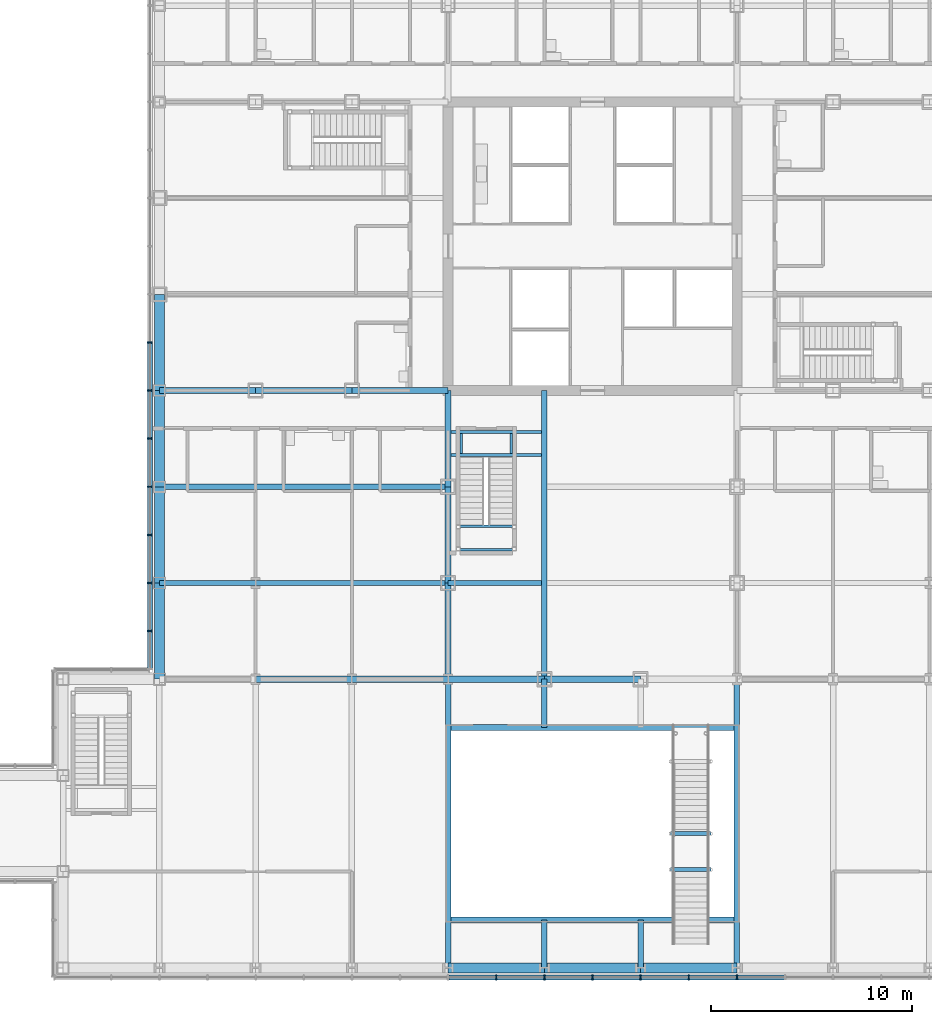
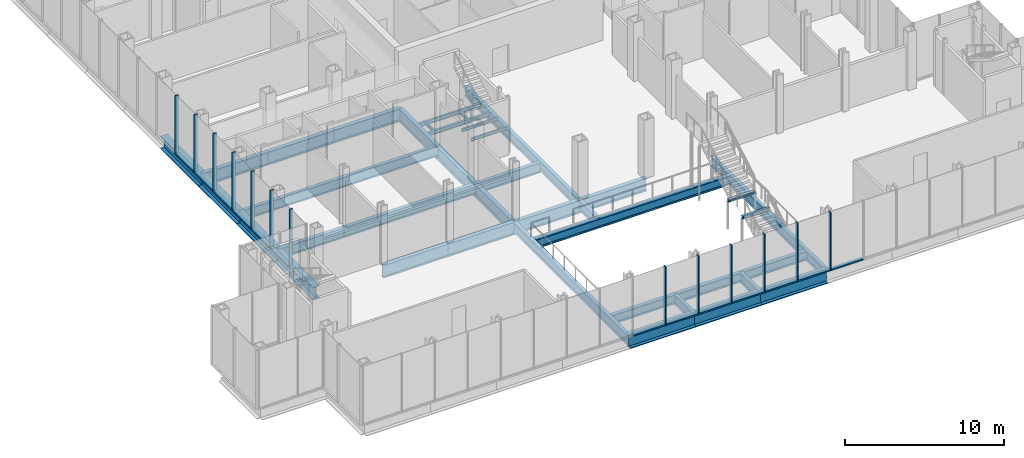
# One storey, part 12 of 28: 37 beams, 27 members, 2 elements without a shape of their own.
"""IFC4 building model written with IfcOpenShell, lengths in metres."""

from ifc_helpers import new_model, si_unit, direction, frame, origin, origin_2d, place, context, subcontext, project, spatial, rectangle, i_section, extrude, material, material_profile, profile_set, type_object, element, aggregate, save


model = new_model("IFC4")

# Units and contexts
model_context = context("Model", 3, precision=1e-05, world=origin(), true_north=direction((0.0, 1.0)))
body_context = subcontext(model_context, "Body", "Model", "MODEL_VIEW")
ifc_project = project(units=[si_unit("LENGTHUNIT", "METRE"), si_unit("AREAUNIT", "SQUARE_METRE"), si_unit("VOLUMEUNIT", "CUBIC_METRE"), si_unit("PLANEANGLEUNIT", "RADIAN"), si_unit("MASSUNIT", "GRAM", prefix="KILO")], contexts=[model_context])

# Site, building, storey
site_placement = place(None, origin())
site = spatial("IfcSite", under=ifc_project, at=site_placement, CompositionType="ELEMENT")
building_placement = place(site_placement, origin())
building = spatial("IfcBuilding", under=site, at=building_placement, Name="Kvirike Care Tower", CompositionType="ELEMENT")
storey_placement = place(building_placement, frame((0.0, 0.0, 4.5)))
storey = spatial("IfcBuildingStorey", under=building, at=storey_placement, Name="L01", CompositionType="ELEMENT", Elevation=4.5)

# Beams
ifc_material_1 = material(Name="Steel S355", Category="steel")
ifc_material_profile_1 = material_profile(ifc_material_1, i_section(OverallWidth=0.300048828125, OverallDepth=0.699951171875, WebThickness=0.01708984375, FlangeThickness=0.031982421875, FilletRadius=0.027099609375, at=origin_2d()), Name="HE 700 B")
ifc_profile_set_1 = profile_set([ifc_material_profile_1], Name="Steel S355")
beam_type_1 = type_object("IfcBeamType", Name="ATRIUM EDGE BEAM HE 700 B", PredefinedType="BEAM", material=ifc_profile_set_1)
for number, where, z_axis, x_axis, name in (
    (1, (14.39990234375, 2.39990234375, -0.52001953125), (1.0, 0.0, 0.0), (0.0, 1.0, 0.0), "Atrium Edge Beam 14.40/2.40-28.80/2.40 L01"),
    (2, (14.39990234375, 12.0, -0.52001953125), (1.0, 0.0, 0.0), (0.0, 1.0, 0.0), "Atrium Edge Beam 14.40/12.00-28.80/12.00 L01"),
):
    element("IfcBeam", number, at=place(storey_placement, frame(where, z_axis=z_axis, x_axis=x_axis)), inside=storey, type_object=beam_type_1, Name=name, PredefinedType="BEAM", context=body_context, shape_type="SweptSolid", body=[
        extrude(i_section(OverallWidth=0.300048828125, OverallDepth=0.699951171875, WebThickness=0.01708984375, FlangeThickness=0.031982421875, FilletRadius=0.027099609375, at=origin_2d()), origin(), (0.0, 0.0, 1.0), 14.400146484375),
    ])

# Curtain wall, members
ifc_material_2 = material(Name="Anodised aluminium stick system", Category="aluminium")
curtain_wall_type = type_object("IfcCurtainWallType", Name="CW-P PODIUM STICK CURTAIN WALL", PredefinedType="NOTDEFINED", material=ifc_material_2)
curtain_wall_1_placement = place(storey_placement, origin())
curtain_wall_1 = element("IfcCurtainWall", 3, at=curtain_wall_1_placement, inside=storey, type_object=curtain_wall_type, Name="Curtain wall L01 face 1", PredefinedType="NOTDEFINED")
ifc_material_3 = material(Name="Bronze anodised aluminium mullion", Category="aluminium")
ifc_material_profile_2 = material_profile(ifc_material_3, rectangle(XDim=0.06494140625, YDim=0.25, at=origin_2d()), Name="CW-P MULLION 65x250")
ifc_profile_set_2 = profile_set([ifc_material_profile_2], Name="Bronze anodised aluminium mullion")
member_type_1 = type_object("IfcMemberType", Name="CW-P MULLION 65x250", PredefinedType="MULLION", material=ifc_profile_set_2)
member_1_placement = place(storey_placement, frame((16.800048828125, -0.47509765625, 0.0), z_axis=(0.0, 0.0, 1.0), x_axis=(1.0, 0.0, 0.0)))
member_1 = element("IfcMember", 4, at=member_1_placement, type_object=member_type_1, Name="CW-P mullion L01 face 1.10", PredefinedType="MULLION", context=body_context, shape_type="SweptSolid", body=[
    extrude(rectangle(XDim=0.06494140625, YDim=0.25, at=origin_2d()), origin(), (0.0, 0.0, 1.0), 4.5),
])
member_2_placement = place(storey_placement, frame((19.199951171875, -0.47509765625, 0.0), z_axis=(0.0, 0.0, 1.0), x_axis=(1.0, 0.0, 0.0)))
member_2 = element("IfcMember", 5, at=member_2_placement, type_object=member_type_1, Name="CW-P mullion L01 face 1.11", PredefinedType="MULLION", context=body_context, shape_type="SweptSolid", body=[
    extrude(rectangle(XDim=0.06494140625, YDim=0.25, at=origin_2d()), origin(), (0.0, 0.0, 1.0), 4.5),
])
member_3_placement = place(storey_placement, frame((21.60009765625, -0.47509765625, 0.0), z_axis=(0.0, 0.0, 1.0), x_axis=(1.0, 0.0, 0.0)))
member_3 = element("IfcMember", 6, at=member_3_placement, type_object=member_type_1, Name="CW-P mullion L01 face 1.12", PredefinedType="MULLION", context=body_context, shape_type="SweptSolid", body=[
    extrude(rectangle(XDim=0.06494140625, YDim=0.25, at=origin_2d()), origin(), (0.0, 0.0, 1.0), 4.5),
])
member_4_placement = place(storey_placement, frame((24.0, -0.47509765625, 0.0), z_axis=(0.0, 0.0, 1.0), x_axis=(1.0, 0.0, 0.0)))
member_4 = element("IfcMember", 7, at=member_4_placement, type_object=member_type_1, Name="CW-P mullion L01 face 1.13", PredefinedType="MULLION", context=body_context, shape_type="SweptSolid", body=[
    extrude(rectangle(XDim=0.06494140625, YDim=0.25, at=origin_2d()), origin(), (0.0, 0.0, 1.0), 4.5),
])
member_5_placement = place(storey_placement, frame((26.39990234375, -0.47509765625, 0.0), z_axis=(0.0, 0.0, 1.0), x_axis=(1.0, 0.0, 0.0)))
member_5 = element("IfcMember", 8, at=member_5_placement, type_object=member_type_1, Name="CW-P mullion L01 face 1.14", PredefinedType="MULLION", context=body_context, shape_type="SweptSolid", body=[
    extrude(rectangle(XDim=0.06494140625, YDim=0.25, at=origin_2d()), origin(), (0.0, 0.0, 1.0), 4.5),
])
member_6_placement = place(storey_placement, frame((28.800048828125, -0.47509765625, 0.0), z_axis=(0.0, 0.0, 1.0), x_axis=(1.0, 0.0, 0.0)))
member_6 = element("IfcMember", 9, at=member_6_placement, type_object=member_type_1, Name="CW-P mullion L01 face 1.15", PredefinedType="MULLION", context=body_context, shape_type="SweptSolid", body=[
    extrude(rectangle(XDim=0.06494140625, YDim=0.25, at=origin_2d()), origin(), (0.0, 0.0, 1.0), 4.5),
])

curtain_wall_2_placement = place(storey_placement, origin())
curtain_wall_2 = element("IfcCurtainWall", 10, at=curtain_wall_2_placement, inside=storey, type_object=curtain_wall_type, Name="Curtain wall L01 face 14", PredefinedType="NOTDEFINED")
member_7_placement = place(storey_placement, frame((-0.47509765625, 31.199951171875, 0.0), z_axis=(0.0, 0.0, 1.0), x_axis=(0.0, -1.0, 0.0)))
member_7 = element("IfcMember", 11, at=member_7_placement, type_object=member_type_1, Name="CW-P mullion L01 face 14.10", PredefinedType="MULLION", context=body_context, shape_type="SweptSolid", body=[
    extrude(rectangle(XDim=0.06494140625, YDim=0.25, at=origin_2d()), origin(), (0.0, 0.0, 1.0), 4.5),
])
member_8_placement = place(storey_placement, frame((-0.47509765625, 28.800048828125, 0.0), z_axis=(0.0, 0.0, 1.0), x_axis=(0.0, -1.0, 0.0)))
member_8 = element("IfcMember", 12, at=member_8_placement, type_object=member_type_1, Name="CW-P mullion L01 face 14.11", PredefinedType="MULLION", context=body_context, shape_type="SweptSolid", body=[
    extrude(rectangle(XDim=0.06494140625, YDim=0.25, at=origin_2d()), origin(), (0.0, 0.0, 1.0), 4.5),
])
member_9_placement = place(storey_placement, frame((-0.47509765625, 26.39990234375, 0.0), z_axis=(0.0, 0.0, 1.0), x_axis=(0.0, -1.0, 0.0)))
member_9 = element("IfcMember", 13, at=member_9_placement, type_object=member_type_1, Name="CW-P mullion L01 face 14.12", PredefinedType="MULLION", context=body_context, shape_type="SweptSolid", body=[
    extrude(rectangle(XDim=0.06494140625, YDim=0.25, at=origin_2d()), origin(), (0.0, 0.0, 1.0), 4.5),
])
member_10_placement = place(storey_placement, frame((-0.47509765625, 24.0, 0.0), z_axis=(0.0, 0.0, 1.0), x_axis=(0.0, -1.0, 0.0)))
member_10 = element("IfcMember", 14, at=member_10_placement, type_object=member_type_1, Name="CW-P mullion L01 face 14.13", PredefinedType="MULLION", context=body_context, shape_type="SweptSolid", body=[
    extrude(rectangle(XDim=0.06494140625, YDim=0.25, at=origin_2d()), origin(), (0.0, 0.0, 1.0), 4.5),
])
member_11_placement = place(storey_placement, frame((-0.47509765625, 21.60009765625, 0.0), z_axis=(0.0, 0.0, 1.0), x_axis=(0.0, -1.0, 0.0)))
member_11 = element("IfcMember", 15, at=member_11_placement, type_object=member_type_1, Name="CW-P mullion L01 face 14.14", PredefinedType="MULLION", context=body_context, shape_type="SweptSolid", body=[
    extrude(rectangle(XDim=0.06494140625, YDim=0.25, at=origin_2d()), origin(), (0.0, 0.0, 1.0), 4.5),
])
member_12_placement = place(storey_placement, frame((-0.47509765625, 19.199951171875, 0.0), z_axis=(0.0, 0.0, 1.0), x_axis=(0.0, -1.0, 0.0)))
member_12 = element("IfcMember", 16, at=member_12_placement, type_object=member_type_1, Name="CW-P mullion L01 face 14.15", PredefinedType="MULLION", context=body_context, shape_type="SweptSolid", body=[
    extrude(rectangle(XDim=0.06494140625, YDim=0.25, at=origin_2d()), origin(), (0.0, 0.0, 1.0), 4.5),
])
member_13_placement = place(storey_placement, frame((-0.47509765625, 16.800048828125, 0.0), z_axis=(0.0, 0.0, 1.0), x_axis=(0.0, -1.0, 0.0)))
member_13 = element("IfcMember", 17, at=member_13_placement, type_object=member_type_1, Name="CW-P mullion L01 face 14.16", PredefinedType="MULLION", context=body_context, shape_type="SweptSolid", body=[
    extrude(rectangle(XDim=0.06494140625, YDim=0.25, at=origin_2d()), origin(), (0.0, 0.0, 1.0), 4.5),
])

# Member
ifc_material_4 = material(Name="Bronze anodised aluminium transom", Category="aluminium")
ifc_material_profile_3 = material_profile(ifc_material_4, rectangle(XDim=0.25, YDim=0.10009765625, at=origin_2d()), Name="CW-P TRANSOM 250x100")
ifc_profile_set_3 = profile_set([ifc_material_profile_3], Name="Bronze anodised aluminium transom")
member_type_2 = type_object("IfcMemberType", Name="CW-P TRANSOM 250x100", PredefinedType="USERDEFINED", material=ifc_profile_set_3)
member_14_placement = place(storey_placement, frame((14.4326171875, -0.47509765625, 0.050048828125), z_axis=(1.0, 0.0, 0.0), x_axis=(0.0, 1.0, 0.0)))
member_14 = element("IfcMember", 18, at=member_14_placement, type_object=member_type_2, Name="CW-P sill transom L01 face 1.9", ObjectType="TRANSOM", PredefinedType="USERDEFINED", context=body_context, shape_type="SweptSolid", body=[
    extrude(rectangle(XDim=0.25, YDim=0.10009765625, at=origin_2d()), origin(), (0.0, 0.0, 1.0), 2.3349609375),
])

member_15_placement = place(storey_placement, frame((16.83251953125, -0.47509765625, 0.050048828125), z_axis=(1.0, 0.0, 0.0), x_axis=(0.0, 1.0, 0.0)))
member_15 = element("IfcMember", 19, at=member_15_placement, type_object=member_type_2, Name="CW-P sill transom L01 face 1.10", ObjectType="TRANSOM", PredefinedType="USERDEFINED", context=body_context, shape_type="SweptSolid", body=[
    extrude(rectangle(XDim=0.25, YDim=0.10009765625, at=origin_2d()), origin(), (0.0, 0.0, 1.0), 2.3349609375),
])

member_16_placement = place(storey_placement, frame((19.232421875, -0.47509765625, 0.050048828125), z_axis=(1.0, 0.0, 0.0), x_axis=(0.0, 1.0, 0.0)))
member_16 = element("IfcMember", 20, at=member_16_placement, type_object=member_type_2, Name="CW-P sill transom L01 face 1.11", ObjectType="TRANSOM", PredefinedType="USERDEFINED", context=body_context, shape_type="SweptSolid", body=[
    extrude(rectangle(XDim=0.25, YDim=0.10009765625, at=origin_2d()), origin(), (0.0, 0.0, 1.0), 2.3349609375),
])

member_17_placement = place(storey_placement, frame((21.632568359375, -0.47509765625, 0.050048828125), z_axis=(1.0, 0.0, 0.0), x_axis=(0.0, 1.0, 0.0)))
member_17 = element("IfcMember", 21, at=member_17_placement, type_object=member_type_2, Name="CW-P sill transom L01 face 1.12", ObjectType="TRANSOM", PredefinedType="USERDEFINED", context=body_context, shape_type="SweptSolid", body=[
    extrude(rectangle(XDim=0.25, YDim=0.10009765625, at=origin_2d()), origin(), (0.0, 0.0, 1.0), 2.3349609375),
])

member_18_placement = place(storey_placement, frame((24.032470703125, -0.47509765625, 0.050048828125), z_axis=(1.0, 0.0, 0.0), x_axis=(0.0, 1.0, 0.0)))
member_18 = element("IfcMember", 22, at=member_18_placement, type_object=member_type_2, Name="CW-P sill transom L01 face 1.13", ObjectType="TRANSOM", PredefinedType="USERDEFINED", context=body_context, shape_type="SweptSolid", body=[
    extrude(rectangle(XDim=0.25, YDim=0.10009765625, at=origin_2d()), origin(), (0.0, 0.0, 1.0), 2.3349609375),
])

member_19_placement = place(storey_placement, frame((26.4326171875, -0.47509765625, 0.050048828125), z_axis=(1.0, 0.0, 0.0), x_axis=(0.0, 1.0, 0.0)))
member_19 = element("IfcMember", 23, at=member_19_placement, type_object=member_type_2, Name="CW-P sill transom L01 face 1.14", ObjectType="TRANSOM", PredefinedType="USERDEFINED", context=body_context, shape_type="SweptSolid", body=[
    extrude(rectangle(XDim=0.25, YDim=0.10009765625, at=origin_2d()), origin(), (0.0, 0.0, 1.0), 2.3349609375),
])

member_20_placement = place(storey_placement, frame((28.83251953125, -0.47509765625, 0.050048828125), z_axis=(1.0, 0.0, 0.0), x_axis=(0.0, 1.0, 0.0)))
member_20 = element("IfcMember", 24, at=member_20_placement, type_object=member_type_2, Name="CW-P sill transom L01 face 1.15", ObjectType="TRANSOM", PredefinedType="USERDEFINED", context=body_context, shape_type="SweptSolid", body=[
    extrude(rectangle(XDim=0.25, YDim=0.10009765625, at=origin_2d()), origin(), (0.0, 0.0, 1.0), 2.3349609375),
])

aggregate(curtain_wall_1, [member_1, member_2, member_3, member_4, member_5, member_6, member_14, member_15, member_16, member_17, member_18, member_19, member_20])

member_21_placement = place(storey_placement, frame((-0.47509765625, 31.16748046875, 0.050048828125), z_axis=(0.0, -1.0, 0.0), x_axis=(1.0, 0.0, 0.0)))
member_21 = element("IfcMember", 25, at=member_21_placement, type_object=member_type_2, Name="CW-P sill transom L01 face 14.10", ObjectType="TRANSOM", PredefinedType="USERDEFINED", context=body_context, shape_type="SweptSolid", body=[
    extrude(rectangle(XDim=0.25, YDim=0.10009765625, at=origin_2d()), origin(), (0.0, 0.0, 1.0), 2.3349609375),
])

member_22_placement = place(storey_placement, frame((-0.47509765625, 28.767578125, 0.050048828125), z_axis=(0.0, -1.0, 0.0), x_axis=(1.0, 0.0, 0.0)))
member_22 = element("IfcMember", 26, at=member_22_placement, type_object=member_type_2, Name="CW-P sill transom L01 face 14.11", ObjectType="TRANSOM", PredefinedType="USERDEFINED", context=body_context, shape_type="SweptSolid", body=[
    extrude(rectangle(XDim=0.25, YDim=0.10009765625, at=origin_2d()), origin(), (0.0, 0.0, 1.0), 2.3349609375),
])

member_23_placement = place(storey_placement, frame((-0.47509765625, 26.367431640625, 0.050048828125), z_axis=(0.0, -1.0, 0.0), x_axis=(1.0, 0.0, 0.0)))
member_23 = element("IfcMember", 27, at=member_23_placement, type_object=member_type_2, Name="CW-P sill transom L01 face 14.12", ObjectType="TRANSOM", PredefinedType="USERDEFINED", context=body_context, shape_type="SweptSolid", body=[
    extrude(rectangle(XDim=0.25, YDim=0.10009765625, at=origin_2d()), origin(), (0.0, 0.0, 1.0), 2.3349609375),
])

member_24_placement = place(storey_placement, frame((-0.47509765625, 23.967529296875, 0.050048828125), z_axis=(0.0, -1.0, 0.0), x_axis=(1.0, 0.0, 0.0)))
member_24 = element("IfcMember", 28, at=member_24_placement, type_object=member_type_2, Name="CW-P sill transom L01 face 14.13", ObjectType="TRANSOM", PredefinedType="USERDEFINED", context=body_context, shape_type="SweptSolid", body=[
    extrude(rectangle(XDim=0.25, YDim=0.10009765625, at=origin_2d()), origin(), (0.0, 0.0, 1.0), 2.3349609375),
])

member_25_placement = place(storey_placement, frame((-0.47509765625, 21.5673828125, 0.050048828125), z_axis=(0.0, -1.0, 0.0), x_axis=(1.0, 0.0, 0.0)))
member_25 = element("IfcMember", 29, at=member_25_placement, type_object=member_type_2, Name="CW-P sill transom L01 face 14.14", ObjectType="TRANSOM", PredefinedType="USERDEFINED", context=body_context, shape_type="SweptSolid", body=[
    extrude(rectangle(XDim=0.25, YDim=0.10009765625, at=origin_2d()), origin(), (0.0, 0.0, 1.0), 2.3349609375),
])

member_26_placement = place(storey_placement, frame((-0.47509765625, 19.16748046875, 0.050048828125), z_axis=(0.0, -1.0, 0.0), x_axis=(1.0, 0.0, 0.0)))
member_26 = element("IfcMember", 30, at=member_26_placement, type_object=member_type_2, Name="CW-P sill transom L01 face 14.15", ObjectType="TRANSOM", PredefinedType="USERDEFINED", context=body_context, shape_type="SweptSolid", body=[
    extrude(rectangle(XDim=0.25, YDim=0.10009765625, at=origin_2d()), origin(), (0.0, 0.0, 1.0), 2.3349609375),
])

member_27_placement = place(storey_placement, frame((-0.47509765625, 16.767578125, 0.050048828125), z_axis=(0.0, -1.0, 0.0), x_axis=(1.0, 0.0, 0.0)))
member_27 = element("IfcMember", 31, at=member_27_placement, type_object=member_type_2, Name="CW-P sill transom L01 face 14.16", ObjectType="TRANSOM", PredefinedType="USERDEFINED", context=body_context, shape_type="SweptSolid", body=[
    extrude(rectangle(XDim=0.25, YDim=0.10009765625, at=origin_2d()), origin(), (0.0, 0.0, 1.0), 1.82763671875),
])

aggregate(curtain_wall_2, [member_7, member_8, member_9, member_10, member_11, member_12, member_13, member_21, member_22, member_23, member_24, member_25, member_26, member_27])

# Beams
ifc_material_5 = material(Name="Steel S355", Category="steel")
ifc_material_profile_4 = material_profile(ifc_material_5, i_section(OverallWidth=0.199951171875, OverallDepth=0.199951171875, WebThickness=0.009033203125, FlangeThickness=0.014892578125, FilletRadius=0.01806640625, at=origin_2d()), Name="HE 200 B")
ifc_profile_set_4 = profile_set([ifc_material_profile_4], Name="Steel S355")
beam_type_2 = type_object("IfcBeamType", Name="FEATURE STAIR TRIMMER HE 200 B", PredefinedType="BEAM", material=ifc_profile_set_4)
for number, where, z_axis, x_axis, name in (
    (32, (25.5, 4.89990234375, 1.949951171875), (1.0, 0.0, 0.0), (0.0, 1.0, 0.0), "Feature stair FB landing trimmer S"),
    (33, (25.5, 6.699951171875, 2.14990234375), (1.0, 0.0, 0.0), (0.0, 1.0, 0.0), "Feature stair FB landing trimmer N"),
):
    element("IfcBeam", number, at=place(storey_placement, frame(where, z_axis=z_axis, x_axis=x_axis)), inside=storey, type_object=beam_type_2, Name=name, PredefinedType="BEAM", context=body_context, shape_type="SweptSolid", body=[
        extrude(i_section(OverallWidth=0.199951171875, OverallDepth=0.199951171875, WebThickness=0.009033203125, FlangeThickness=0.014892578125, FilletRadius=0.01806640625, at=origin_2d()), origin(), (0.0, 0.0, 1.0), 2.0),
    ])
ifc_material_6 = material(Name="Steel S355", Category="steel")
ifc_material_profile_5 = material_profile(ifc_material_6, i_section(OverallWidth=0.26806640625, OverallDepth=0.77001953125, WebThickness=0.015625, FlangeThickness=0.025390625, FilletRadius=0.01708984375, at=origin_2d()), Name="IPE 750x196")
ifc_profile_set_5 = profile_set([ifc_material_profile_5], Name="Steel S355")
beam_type_3 = type_object("IfcBeamType", Name="FLOOR BEAM IPE 750x196", PredefinedType="BEAM", material=ifc_profile_set_5)
beam_1_placement = place(storey_placement, frame((0.0, 19.199951171875, -0.554931640625), z_axis=(1.0, 0.0, 0.0), x_axis=(0.0, 1.0, 0.0)))
element("IfcBeam", 34, at=beam_1_placement, inside=storey, type_object=beam_type_3, Name="Floor Beam E3-E4 L01", PredefinedType="BEAM", context=body_context, shape_type="SweptSolid", body=[
    extrude(i_section(OverallWidth=0.26806640625, OverallDepth=0.77001953125, WebThickness=0.015625, FlangeThickness=0.025390625, FilletRadius=0.01708984375, at=origin_2d()), origin(), (0.0, 0.0, 1.0), 4.800048828125),
])
beam_2_placement = place(storey_placement, frame((4.800048828125, 19.199951171875, -0.554931640625), z_axis=(1.0, 0.0, 0.0), x_axis=(0.0, 1.0, 0.0)))
element("IfcBeam", 35, at=beam_2_placement, inside=storey, type_object=beam_type_3, Name="Floor Beam E4-E6 L01", PredefinedType="BEAM", context=body_context, shape_type="SweptSolid", body=[
    extrude(i_section(OverallWidth=0.26806640625, OverallDepth=0.77001953125, WebThickness=0.015625, FlangeThickness=0.025390625, FilletRadius=0.01708984375, at=origin_2d()), origin(), (0.0, 0.0, 1.0), 9.599853515625),
])
beam_3_placement = place(storey_placement, frame((14.39990234375, 19.199951171875, -0.554931640625), z_axis=(1.0, 0.0, 0.0), x_axis=(0.0, 1.0, 0.0)))
element("IfcBeam", 36, at=beam_3_placement, inside=storey, type_object=beam_type_3, Name="Floor Beam E6-E7 L01", PredefinedType="BEAM", context=body_context, shape_type="SweptSolid", body=[
    extrude(i_section(OverallWidth=0.26806640625, OverallDepth=0.77001953125, WebThickness=0.015625, FlangeThickness=0.025390625, FilletRadius=0.01708984375, at=origin_2d()), origin(), (0.0, 0.0, 1.0), 4.666015625),
])
for number, where, z_axis, x_axis, name in (
    (37, (0.0, 24.0, -0.554931640625), (1.0, 0.0, 0.0), (0.0, 1.0, 0.0), "Floor Beam F3-F6 L01"),
    (38, (14.39990234375, 0.0, -0.554931640625), (0.0, 1.0, 0.0), (-1.0, 0.0, 0.0), "Floor Beam A6-D6 L01"),
):
    element("IfcBeam", number, at=place(storey_placement, frame(where, z_axis=z_axis, x_axis=x_axis)), inside=storey, type_object=beam_type_3, Name=name, PredefinedType="BEAM", context=body_context, shape_type="SweptSolid", body=[
        extrude(i_section(OverallWidth=0.26806640625, OverallDepth=0.77001953125, WebThickness=0.015625, FlangeThickness=0.025390625, FilletRadius=0.01708984375, at=origin_2d()), origin(), (0.0, 0.0, 1.0), 14.39990234375),
    ])
for number, where, z_axis, x_axis, name in (
    (39, (19.199951171875, 0.0, -0.554931640625), (0.0, 1.0, 0.0), (-1.0, 0.0, 0.0), "Floor Beam A7-19.20/2.40 L01"),
    (40, (19.199951171875, 12.0, -0.554931640625), (0.0, 1.0, 0.0), (-1.0, 0.0, 0.0), "Floor Beam 19.20/12.00-D7 L01"),
):
    element("IfcBeam", number, at=place(storey_placement, frame(where, z_axis=z_axis, x_axis=x_axis)), inside=storey, type_object=beam_type_3, Name=name, PredefinedType="BEAM", context=body_context, shape_type="SweptSolid", body=[
        extrude(i_section(OverallWidth=0.26806640625, OverallDepth=0.77001953125, WebThickness=0.015625, FlangeThickness=0.025390625, FilletRadius=0.01708984375, at=origin_2d()), origin(), (0.0, 0.0, 1.0), 2.39990234375),
    ])
beam_4_placement = place(storey_placement, frame((19.199951171875, 14.39990234375, -0.554931640625), z_axis=(0.0, 1.0, 0.0), x_axis=(-1.0, 0.0, 0.0)))
element("IfcBeam", 41, at=beam_4_placement, inside=storey, type_object=beam_type_3, Name="Floor Beam D7-G7 L01", PredefinedType="BEAM", context=body_context, shape_type="SweptSolid", body=[
    extrude(i_section(OverallWidth=0.26806640625, OverallDepth=0.77001953125, WebThickness=0.015625, FlangeThickness=0.025390625, FilletRadius=0.01708984375, at=origin_2d()), origin(), (0.0, 0.0, 1.0), 14.400146484375),
])
beam_5_placement = place(storey_placement, frame((24.0, 0.0, -0.554931640625), z_axis=(0.0, 1.0, 0.0), x_axis=(-1.0, 0.0, 0.0)))
element("IfcBeam", 42, at=beam_5_placement, inside=storey, type_object=beam_type_3, Name="Floor Beam A8-24.00/2.40 L01", PredefinedType="BEAM", context=body_context, shape_type="SweptSolid", body=[
    extrude(i_section(OverallWidth=0.26806640625, OverallDepth=0.77001953125, WebThickness=0.015625, FlangeThickness=0.025390625, FilletRadius=0.01708984375, at=origin_2d()), origin(), (0.0, 0.0, 1.0), 2.39990234375),
])
beam_6_placement = place(storey_placement, frame((28.800048828125, 0.0, -0.554931640625), z_axis=(0.0, 1.0, 0.0), x_axis=(-1.0, 0.0, 0.0)))
element("IfcBeam", 43, at=beam_6_placement, inside=storey, type_object=beam_type_3, Name="Floor Beam A9-D9 L01", PredefinedType="BEAM", context=body_context, shape_type="SweptSolid", body=[
    extrude(i_section(OverallWidth=0.26806640625, OverallDepth=0.77001953125, WebThickness=0.015625, FlangeThickness=0.025390625, FilletRadius=0.01708984375, at=origin_2d()), origin(), (0.0, 0.0, 1.0), 14.39990234375),
])
ifc_material_7 = material(Name="Steel S355", Category="steel")
ifc_material_profile_6 = material_profile(ifc_material_7, i_section(OverallWidth=0.300048828125, OverallDepth=1.0, WebThickness=0.01904296875, FlangeThickness=0.035888671875, FilletRadius=0.030029296875, at=origin_2d()), Name="HE 1000 B")
ifc_profile_set_6 = profile_set([ifc_material_profile_6], Name="Steel S355")
beam_type_4 = type_object("IfcBeamType", Name="FRAME BEAM HE 1000 B", PredefinedType="BEAM", material=ifc_profile_set_6)
beam_7_placement = place(storey_placement, frame((4.800048828125, 14.39990234375, -0.669921875), z_axis=(1.0, 0.0, 0.0), x_axis=(0.0, 1.0, 0.0)))
element("IfcBeam", 44, at=beam_7_placement, inside=storey, type_object=beam_type_4, Name="Frame Beam D4-D5 L01", PredefinedType="BEAM", context=body_context, shape_type="SweptSolid", body=[
    extrude(i_section(OverallWidth=0.300048828125, OverallDepth=1.0, WebThickness=0.01904296875, FlangeThickness=0.035888671875, FilletRadius=0.030029296875, at=origin_2d()), origin(), (0.0, 0.0, 1.0), 4.800048828125),
])
beam_8_placement = place(storey_placement, frame((9.60009765625, 14.39990234375, -0.669921875), z_axis=(1.0, 0.0, 0.0), x_axis=(0.0, 1.0, 0.0)))
element("IfcBeam", 45, at=beam_8_placement, inside=storey, type_object=beam_type_4, Name="Frame Beam D5-D6 L01", PredefinedType="BEAM", context=body_context, shape_type="SweptSolid", body=[
    extrude(i_section(OverallWidth=0.300048828125, OverallDepth=1.0, WebThickness=0.01904296875, FlangeThickness=0.035888671875, FilletRadius=0.030029296875, at=origin_2d()), origin(), (0.0, 0.0, 1.0), 4.7998046875),
])
for number, where, z_axis, x_axis, name in (
    (46, (14.39990234375, 14.39990234375, -0.669921875), (1.0, 0.0, 0.0), (0.0, 1.0, 0.0), "Frame Beam D6-D7 L01"),
    (47, (19.199951171875, 14.39990234375, -0.669921875), (1.0, 0.0, 0.0), (0.0, 1.0, 0.0), "Frame Beam D7-D8 L01"),
    (48, (0.0, 28.800048828125, -0.669921875), (1.0, 0.0, 0.0), (0.0, 1.0, 0.0), "Frame Beam G3-G4 L01"),
    (49, (4.800048828125, 28.800048828125, -0.669921875), (1.0, 0.0, 0.0), (0.0, 1.0, 0.0), "Frame Beam G4-G5 L01"),
):
    element("IfcBeam", number, at=place(storey_placement, frame(where, z_axis=z_axis, x_axis=x_axis)), inside=storey, type_object=beam_type_4, Name=name, PredefinedType="BEAM", context=body_context, shape_type="SweptSolid", body=[
        extrude(i_section(OverallWidth=0.300048828125, OverallDepth=1.0, WebThickness=0.01904296875, FlangeThickness=0.035888671875, FilletRadius=0.030029296875, at=origin_2d()), origin(), (0.0, 0.0, 1.0), 4.800048828125),
    ])
beam_9_placement = place(storey_placement, frame((9.60009765625, 28.800048828125, -0.669921875), z_axis=(1.0, 0.0, 0.0), x_axis=(0.0, 1.0, 0.0)))
element("IfcBeam", 50, at=beam_9_placement, inside=storey, type_object=beam_type_4, Name="Frame Beam G5-G6 L01", PredefinedType="BEAM", context=body_context, shape_type="SweptSolid", body=[
    extrude(i_section(OverallWidth=0.300048828125, OverallDepth=1.0, WebThickness=0.01904296875, FlangeThickness=0.035888671875, FilletRadius=0.030029296875, at=origin_2d()), origin(), (0.0, 0.0, 1.0), 4.7998046875),
])
for number, where, z_axis, x_axis, name in (
    (51, (14.39990234375, 14.39990234375, -0.669921875), (0.0, 1.0, 0.0), (-1.0, 0.0, 0.0), "Frame Beam D6-E6 L01"),
    (52, (14.39990234375, 19.199951171875, -0.669921875), (0.0, 1.0, 0.0), (-1.0, 0.0, 0.0), "Frame Beam E6-F6 L01"),
    (53, (14.39990234375, 24.0, -0.669921875), (0.0, 1.0, 0.0), (-1.0, 0.0, 0.0), "Frame Beam F6-G6 L01"),
):
    element("IfcBeam", number, at=place(storey_placement, frame(where, z_axis=z_axis, x_axis=x_axis)), inside=storey, type_object=beam_type_4, Name=name, PredefinedType="BEAM", context=body_context, shape_type="SweptSolid", body=[
        extrude(i_section(OverallWidth=0.300048828125, OverallDepth=1.0, WebThickness=0.01904296875, FlangeThickness=0.035888671875, FilletRadius=0.030029296875, at=origin_2d()), origin(), (0.0, 0.0, 1.0), 4.800048828125),
    ])
ifc_material_8 = material(Name="Steel S355", Category="steel")
ifc_material_profile_7 = material_profile(ifc_material_8, i_section(OverallWidth=0.5, OverallDepth=1.0, WebThickness=0.030029296875, FlangeThickness=0.06005859375, at=origin_2d()), Name="PG 1000x500x30x60")
ifc_profile_set_7 = profile_set([ifc_material_profile_7], Name="Steel S355")
beam_type_5 = type_object("IfcBeamType", Name="SPANDREL PG 1000x500x30x60", PredefinedType="SPANDREL", material=ifc_profile_set_7)
for number, where, z_axis, x_axis, name in (
    (54, (14.39990234375, 0.0, -0.669921875), (1.0, 0.0, 0.0), (0.0, 1.0, 0.0), "Spandrel A6-A7 L01"),
    (55, (19.199951171875, 0.0, -0.669921875), (1.0, 0.0, 0.0), (0.0, 1.0, 0.0), "Spandrel A7-A8 L01"),
    (56, (24.0, 0.0, -0.669921875), (1.0, 0.0, 0.0), (0.0, 1.0, 0.0), "Spandrel A8-A9 L01"),
    (57, (0.0, 14.39990234375, -0.669921875), (0.0, 1.0, 0.0), (-1.0, 0.0, 0.0), "Spandrel D3-E3 L01"),
    (58, (0.0, 19.199951171875, -0.669921875), (0.0, 1.0, 0.0), (-1.0, 0.0, 0.0), "Spandrel E3-F3 L01"),
    (59, (0.0, 24.0, -0.669921875), (0.0, 1.0, 0.0), (-1.0, 0.0, 0.0), "Spandrel F3-G3 L01"),
    (60, (0.0, 28.800048828125, -0.669921875), (0.0, 1.0, 0.0), (-1.0, 0.0, 0.0), "Spandrel G3-H3 L01"),
):
    element("IfcBeam", number, at=place(storey_placement, frame(where, z_axis=z_axis, x_axis=x_axis)), inside=storey, type_object=beam_type_5, Name=name, PredefinedType="SPANDREL", context=body_context, shape_type="SweptSolid", body=[
        extrude(i_section(OverallWidth=0.5, OverallDepth=1.0, WebThickness=0.030029296875, FlangeThickness=0.06005859375, at=origin_2d()), origin(), (0.0, 0.0, 1.0), 4.800048828125),
    ])
ifc_material_9 = material(Name="Steel S355", Category="steel")
ifc_material_profile_8 = material_profile(ifc_material_9, i_section(OverallWidth=0.1201171875, OverallDepth=0.239990234375, WebThickness=0.006103515625, FlangeThickness=0.009765625, FilletRadius=0.014892578125, at=origin_2d()), Name="IPE 240")
ifc_profile_set_8 = profile_set([ifc_material_profile_8], Name="Steel S355")
beam_type_6 = type_object("IfcBeamType", Name="STAIR LANDING BEAM IPE 240", PredefinedType="BEAM", material=ifc_profile_set_8)
for number, where, z_axis, x_axis, name in (
    (61, (15.0, 20.860107421875, 1.929931640625), (1.0, 0.0, 0.0), (0.0, 1.0, 0.0), "Stair 5 landing beam back L01"),
    (62, (15.0, 22.0400390625, 1.929931640625), (1.0, 0.0, 0.0), (0.0, 1.0, 0.0), "Stair 5 landing beam front L01"),
):
    element("IfcBeam", number, at=place(storey_placement, frame(where, z_axis=z_axis, x_axis=x_axis)), inside=storey, type_object=beam_type_6, Name=name, PredefinedType="BEAM", context=body_context, shape_type="SweptSolid", body=[
        extrude(i_section(OverallWidth=0.1201171875, OverallDepth=0.239990234375, WebThickness=0.006103515625, FlangeThickness=0.009765625, FilletRadius=0.014892578125, at=origin_2d()), origin(), (0.0, 0.0, 1.0), 2.60009765625),
    ])
for number, where, z_axis, x_axis, name in (
    (63, (15.06005859375, 25.64990234375, -0.320068359375), (0.0, 1.0, 0.0), (-1.0, 0.0, 0.0), "Stair 5 landing edge beam 1 L01"),
    (64, (17.5400390625, 25.64990234375, -0.320068359375), (0.0, 1.0, 0.0), (-1.0, 0.0, 0.0), "Stair 5 landing edge beam 2 L01"),
):
    element("IfcBeam", number, at=place(storey_placement, frame(where, z_axis=z_axis, x_axis=x_axis)), inside=storey, type_object=beam_type_6, Name=name, PredefinedType="BEAM", context=body_context, shape_type="SweptSolid", body=[
        extrude(i_section(OverallWidth=0.1201171875, OverallDepth=0.239990234375, WebThickness=0.006103515625, FlangeThickness=0.009765625, FilletRadius=0.014892578125, at=origin_2d()), origin(), (0.0, 0.0, 1.0), 1.0),
    ])
ifc_material_10 = material(Name="Steel S355", Category="steel")
ifc_material_profile_9 = material_profile(ifc_material_10, i_section(OverallWidth=0.14990234375, OverallDepth=0.300048828125, WebThickness=0.007080078125, FlangeThickness=0.0107421875, FilletRadius=0.014892578125, at=origin_2d()), Name="IPE 300")
ifc_profile_set_9 = profile_set([ifc_material_profile_9], Name="Steel S355")
beam_type_7 = type_object("IfcBeamType", Name="STAIR TRIMMER IPE 300", PredefinedType="BEAM", material=ifc_profile_set_9)
for number, where, z_axis, x_axis, name in (
    (65, (14.550048828125, 25.574951171875, -0.35009765625), (1.0, 0.0, 0.0), (0.0, 1.0, 0.0), "Stair 5 trimmer 1 L01"),
    (66, (14.550048828125, 26.72509765625, -0.35009765625), (1.0, 0.0, 0.0), (0.0, 1.0, 0.0), "Stair 5 trimmer 2 L01"),
):
    element("IfcBeam", number, at=place(storey_placement, frame(where, z_axis=z_axis, x_axis=x_axis)), inside=storey, type_object=beam_type_7, Name=name, PredefinedType="BEAM", context=body_context, shape_type="SweptSolid", body=[
        extrude(i_section(OverallWidth=0.14990234375, OverallDepth=0.300048828125, WebThickness=0.007080078125, FlangeThickness=0.0107421875, FilletRadius=0.014892578125, at=origin_2d()), origin(), (0.0, 0.0, 1.0), 4.515869140625),
    ])

save(model, "model.ifc")
